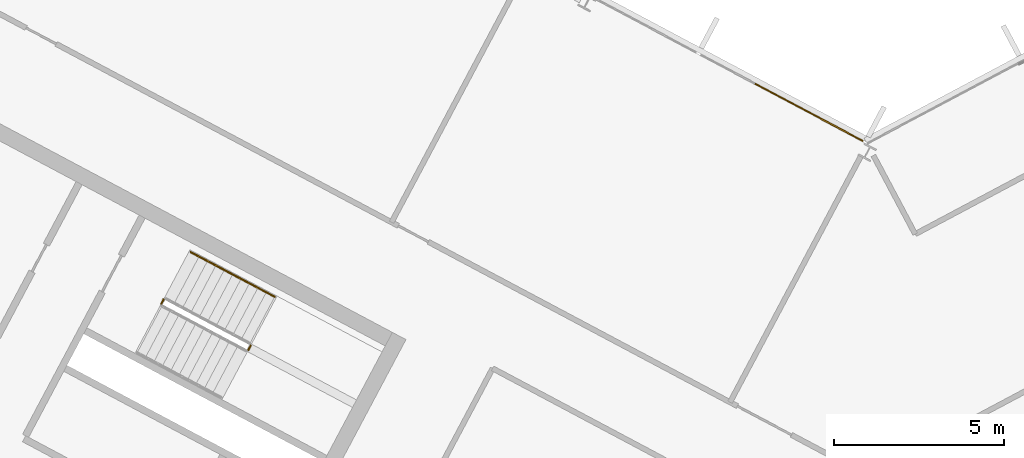
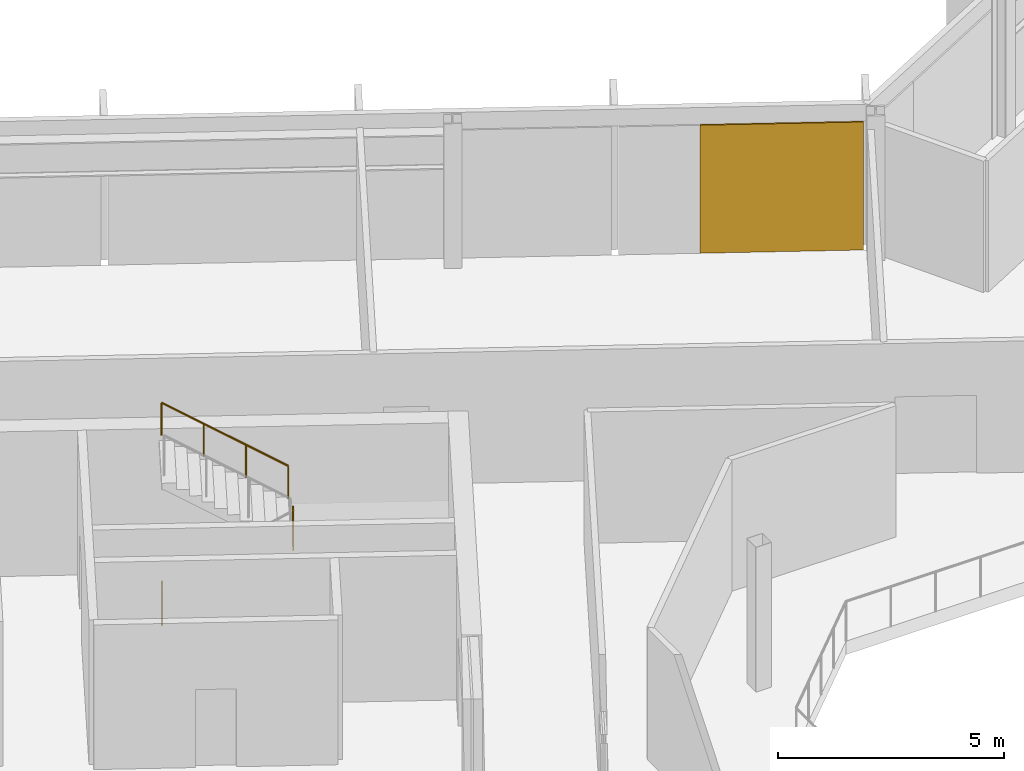
# One storey, part 22 of 25: 3 railings, 1 covering, 1 element without a shape of its own.
"""IFC4 building model written with IfcOpenShell, lengths in metres."""

from ifc_helpers import new_model, si_unit, direction, frame, origin, origin_2d, place, context, subcontext, project, spatial, polyline, rectangle, outline, extrude, material, layer, layer_set, type_object, element, aggregate, save


model = new_model("IFC4")

# Units and contexts
model_context = context("Model", 3, precision=1e-05, world=origin(), true_north=direction((0.0, 1.0)))
body_context = subcontext(model_context, "Body", "Model", "MODEL_VIEW")
ifc_project = project(units=[si_unit("LENGTHUNIT", "METRE"), si_unit("AREAUNIT", "SQUARE_METRE"), si_unit("VOLUMEUNIT", "CUBIC_METRE"), si_unit("PLANEANGLEUNIT", "RADIAN"), si_unit("MASSUNIT", "GRAM", prefix="KILO")], contexts=[model_context])

# Site, building, storey
site_placement = place(None, origin())
site = spatial("IfcSite", under=ifc_project, at=site_placement, CompositionType="ELEMENT")
building_placement = place(site_placement, origin())
building = spatial("IfcBuilding", under=site, at=building_placement, Name="Cormorant Relay Tower", CompositionType="ELEMENT")
storey_placement = place(building_placement, frame((0.0, 0.0, 265.800048828125)))
storey = spatial("IfcBuildingStorey", under=building, at=storey_placement, Name="L59", CompositionType="ELEMENT", Elevation=265.800048828125)

# Curtain wall, covering
ifc_material_1 = material(Name="Aluminium 6063-T6 anodised bronze", Category="aluminium")
ifc_layer_1 = layer(ifc_material_1, 0.199951171875)
ifc_layer_set_1 = layer_set([ifc_layer_1], Name="CW1 unitised bronze curtain wall with vertical fins")
curtain_wall_type = type_object("IfcCurtainWallType", Name="CW1 unitised bronze curtain wall with vertical fins", PredefinedType="NOTDEFINED", material=ifc_layer_set_1)
curtain_wall_placement = place(storey_placement, origin())
curtain_wall = element("IfcCurtainWall", 1, at=curtain_wall_placement, inside=storey, type_object=curtain_wall_type, Name="CW1 curtain wall 9", PredefinedType="NOTDEFINED")
ifc_material_2 = material(Name="Pale bronze anodised aluminium insulated panel", Category="aluminium")
ifc_layer_2 = layer(ifc_material_2, 0.0400390625)
ifc_layer_set_2 = layer_set([ifc_layer_2], Name="CW1 pale bronze insulated panel 40")
covering_type = type_object("IfcCoveringType", Name="CW1 pale bronze insulated panel 40", PredefinedType="CLADDING", material=ifc_layer_set_2)
covering_placement = place(storey_placement, frame((-1.718505859375, 24.720458984375, 0.0), z_axis=(0.0, 0.0, 1.0), x_axis=(-0.882947592859, 0.469471562786, 0.0)))
covering = element("IfcCovering", 2, at=covering_placement, type_object=covering_type, Name="CW1 panel S00", PredefinedType="CLADDING", context=body_context, shape_type="SweptSolid", body=[
    extrude(rectangle(XDim=3.614013671875, YDim=0.0400390625, at=origin_2d()), origin(), (0.0, 0.0, 1.0), 3.449951171875),
])
aggregate(curtain_wall, [covering])

# Railings
ifc_material_3 = material(Name="Steel ASTM A572 Grade 50 (Fy 345 MPa)", Category="steel")
railing_type_1 = type_object("IfcRailingType", Name="Stair guard 1100", PredefinedType="GUARDRAIL", material=ifc_material_3)
railing_1_placement = place(storey_placement, frame((-18.210693359375, 17.72412109375, 1.949951171875)))
element("IfcRailing", 3, at=railing_1_placement, inside=storey, type_object=railing_type_1, Name="L59 A1 stair guard 2", PredefinedType="GUARDRAIL", context=body_context, shape_type="SweptSolid", body=[
    extrude(outline(polyline([(0.022216796875, 0.00927734375), (0.00927734375, 0.022216796875), (-0.00927734375, 0.022216796875), (-0.022216796875, 0.00927734375), (-0.022216796875, -0.00927734375), (-0.00927734375, -0.022216796875), (0.00927734375, -0.022216796875), (0.022216796875, -0.00927734375), (0.022216796875, 0.00927734375)])), frame((0.0, 0.0, 1.076171875), z_axis=(0.470503732759, 0.882398003998, 0.0), x_axis=(-0.882398003998, 0.470503732759, 0.0)), (0.0, 0.0, 1.0), 0.14990234375),
    extrude(outline(polyline([(0.019287109375, 0.008056640625), (0.008056640625, 0.019287109375), (-0.008056640625, 0.019287109375), (-0.019287109375, 0.008056640625), (-0.019287109375, -0.008056640625), (-0.008056640625, -0.019287109375), (0.008056640625, -0.019287109375), (0.019287109375, -0.008056640625), (0.019287109375, 0.008056640625)])), origin(), (0.0, 0.0, 1.0), 1.052001953125),
    extrude(outline(polyline([(0.019287109375, 0.008056640625), (0.008056640625, 0.019287109375), (-0.008056640625, 0.019287109375), (-0.019287109375, 0.008056640625), (-0.019287109375, -0.008056640625), (-0.008056640625, -0.019287109375), (0.008056640625, -0.019287109375), (0.019287109375, -0.008056640625), (0.019287109375, 0.008056640625)])), frame((0.070556640625, 0.13232421875, 0.0)), (0.0, 0.0, 1.0), 1.052001953125),
])
railing_2_placement = place(storey_placement, frame((-20.771240234375, 19.08544921875, 0.0)))
element("IfcRailing", 4, at=railing_2_placement, inside=storey, type_object=railing_type_1, Name="L59 A1 stair guard 4", PredefinedType="GUARDRAIL", context=body_context, shape_type="SweptSolid", body=[
    extrude(outline(polyline([(0.022216796875, 0.00927734375), (0.00927734375, 0.022216796875), (-0.00927734375, 0.022216796875), (-0.022216796875, 0.00927734375), (-0.022216796875, -0.00927734375), (-0.00927734375, -0.022216796875), (0.00927734375, -0.022216796875), (0.022216796875, -0.00927734375), (0.022216796875, 0.00927734375)])), frame((0.0, 0.0, 1.076171875), z_axis=(0.469828648786, 0.882757634224, 0.0), x_axis=(-0.882757634224, 0.469828648786, 0.0)), (0.0, 0.0, 1.0), 0.150146484375),
    extrude(outline(polyline([(0.019287109375, 0.008056640625), (0.008056640625, 0.019287109375), (-0.008056640625, 0.019287109375), (-0.019287109375, 0.008056640625), (-0.019287109375, -0.008056640625), (-0.008056640625, -0.019287109375), (0.008056640625, -0.019287109375), (0.019287109375, -0.008056640625), (0.019287109375, 0.008056640625)])), origin(), (0.0, 0.0, 1.0), 1.052001953125),
    extrude(outline(polyline([(0.019287109375, 0.008056640625), (0.008056640625, 0.019287109375), (-0.008056640625, 0.019287109375), (-0.019287109375, 0.008056640625), (-0.019287109375, -0.008056640625), (-0.008056640625, -0.019287109375), (0.008056640625, -0.019287109375), (0.019287109375, -0.008056640625), (0.019287109375, 0.008056640625)])), frame((0.070556640625, 0.132568359375, 0.0)), (0.0, 0.0, 1.0), 1.052001953125),
])
ifc_material_4 = material(Name="Steel ASTM A572 Grade 50 (Fy 345 MPa)", Category="steel")
railing_type_2 = type_object("IfcRailingType", Name="Stair handrail 900", PredefinedType="HANDRAIL", material=ifc_material_4)
railing_3_placement = place(storey_placement, frame((-17.433349609375, 19.292724609375, 2.127197265625)))
element("IfcRailing", 5, at=railing_3_placement, inside=storey, type_object=railing_type_2, Name="L59 A1 stair handrail 2", PredefinedType="HANDRAIL", context=body_context, shape_type="SweptSolid", body=[
    extrude(outline(polyline([(0.022216796875, 0.00927734375), (0.00927734375, 0.022216796875), (-0.00927734375, 0.022216796875), (-0.022216796875, 0.00927734375), (-0.022216796875, -0.00927734375), (-0.00927734375, -0.022216796875), (0.00927734375, -0.022216796875), (0.022216796875, -0.00927734375), (0.022216796875, 0.00927734375)])), frame((0.0, 0.0, 0.8759765625), z_axis=(-0.746001213114, 0.396649272309, 0.534931345884), x_axis=(-0.469465464807, -0.882950835185, 0.0)), (0.0, 0.0, 1.0), 3.31396484375),
    extrude(outline(polyline([(0.019287109375, 0.008056640625), (0.008056640625, 0.019287109375), (-0.008056640625, 0.019287109375), (-0.019287109375, 0.008056640625), (-0.019287109375, -0.008056640625), (-0.008056640625, -0.019287109375), (0.008056640625, -0.019287109375), (0.019287109375, -0.008056640625), (0.019287109375, 0.008056640625)])), origin(), (0.0, 0.0, 1.0), 0.851806640625),
    extrude(outline(polyline([(0.019287109375, 0.008056640625), (0.008056640625, 0.019287109375), (-0.008056640625, 0.019287109375), (-0.019287109375, 0.008056640625), (-0.019287109375, -0.008056640625), (-0.008056640625, -0.019287109375), (0.008056640625, -0.019287109375), (0.019287109375, -0.008056640625), (0.019287109375, 0.008056640625)])), frame((-0.823974609375, 0.438232421875, 0.5908203125)), (0.0, 0.0, 1.0), 0.851806640625),
    extrude(outline(polyline([(0.019287109375, 0.008056640625), (0.008056640625, 0.019287109375), (-0.008056640625, 0.019287109375), (-0.019287109375, 0.008056640625), (-0.019287109375, -0.008056640625), (-0.008056640625, -0.019287109375), (0.008056640625, -0.019287109375), (0.019287109375, -0.008056640625), (0.019287109375, 0.008056640625)])), frame((-1.648193359375, 0.876220703125, 1.181884765625)), (0.0, 0.0, 1.0), 0.851806640625),
    extrude(outline(polyline([(0.019287109375, 0.008056640625), (0.008056640625, 0.019287109375), (-0.008056640625, 0.019287109375), (-0.019287109375, 0.008056640625), (-0.019287109375, -0.008056640625), (-0.008056640625, -0.019287109375), (0.008056640625, -0.019287109375), (0.019287109375, -0.008056640625), (0.019287109375, 0.008056640625)])), frame((-2.47216796875, 1.314453125, 1.772705078125)), (0.0, 0.0, 1.0), 0.851806640625),
])

save(model, "model.ifc")
